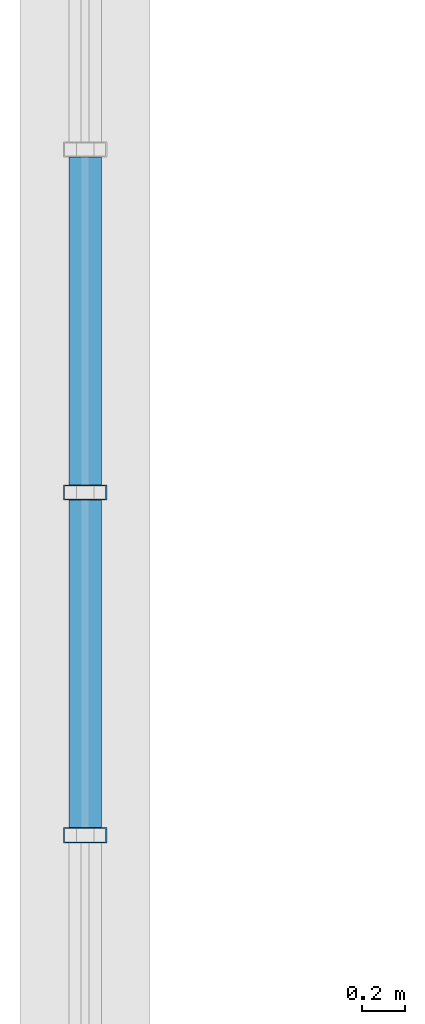
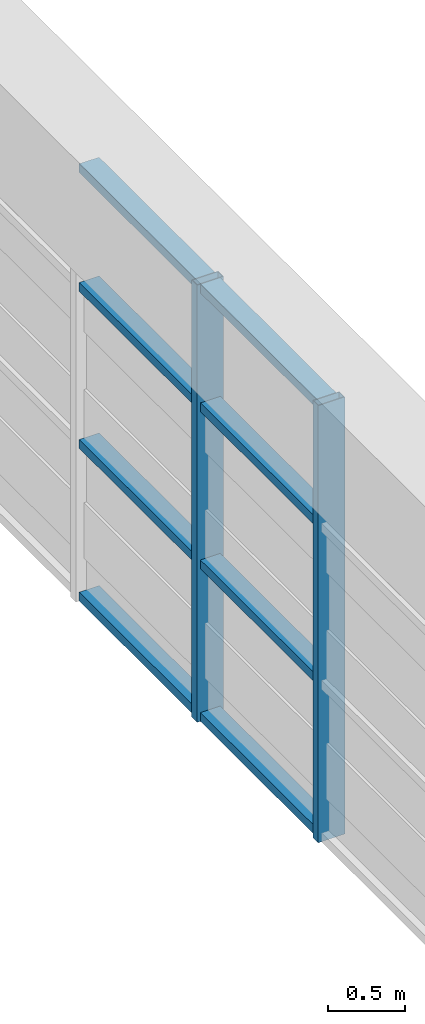
# One storey, part 10 of 27: 10 members, 1 element without a shape of its own.
"""IFC4 building model written with IfcOpenShell, lengths in metres."""

from ifc_helpers import new_model, si_unit, direction, frame, origin, origin_2d, place, context, subcontext, project, spatial, hollow_rectangle, extrude, source, transform, mapped, material, layer, layer_set, material_profile, profile_set, type_object, element, aggregate, save


model = new_model("IFC4")

# Units and contexts
model_context = context("Model", 3, precision=1e-05, world=origin(), true_north=direction((0.0, 1.0)))
body_context = subcontext(model_context, "Body", "Model", "MODEL_VIEW")
ifc_project = project(units=[si_unit("LENGTHUNIT", "METRE"), si_unit("AREAUNIT", "SQUARE_METRE"), si_unit("VOLUMEUNIT", "CUBIC_METRE"), si_unit("PLANEANGLEUNIT", "RADIAN"), si_unit("MASSUNIT", "GRAM", prefix="KILO")], contexts=[model_context])

# Site, building, storey
site_placement = place(None, origin())
site = spatial("IfcSite", under=ifc_project, at=site_placement, CompositionType="ELEMENT")
building_placement = place(site_placement, origin())
building = spatial("IfcBuilding", under=site, at=building_placement, Name="Saelheon Loggia Tower", CompositionType="ELEMENT")
storey_placement = place(building_placement, frame((0.0, 0.0, 263.60009765625)))
storey = spatial("IfcBuildingStorey", under=building, at=storey_placement, Name="CR4", CompositionType="ELEMENT", Elevation=263.60009765625)

# Curtain wall, members
ifc_material_1 = material(Name="Bronze-Anodised Aluminium and Fritted Ceramic Screen", Category="aluminium")
ifc_layer = layer(ifc_material_1, 0.219970703125)
ifc_layer_set = layer_set([ifc_layer], Name="Bronze-Anodised Aluminium and Fritted Ceramic Screen")
curtain_wall_type = type_object("IfcCurtainWallType", Name="CW_CrownScreen", PredefinedType="NOTDEFINED", material=ifc_layer_set)
curtain_wall_placement = place(storey_placement, origin())
curtain_wall = element("IfcCurtainWall", 1, at=curtain_wall_placement, inside=storey, type_object=curtain_wall_type, Name="CR4 Crown Screen Curtain Wall 9-2", PredefinedType="NOTDEFINED")
ifc_material_2 = material(Name="Bronze-Anodised Aluminium 6063-T6", Category="aluminium")
ifc_material_profile_1 = material_profile(ifc_material_2, hollow_rectangle(XDim=0.070068359375, YDim=0.199951171875, WallThickness=0.0048828125, at=origin_2d()), Name="RHS-200x70x5")
ifc_profile_set_1 = profile_set([ifc_material_profile_1], Name="Bronze-Anodised Aluminium 6063-T6")
member_type_1 = type_object("IfcMemberType", Name="CW_CrownScreen_Mullion", PredefinedType="MULLION", material=ifc_profile_set_1)
shared_shape_1 = source(origin(), body_context, "Body", "SweptSolid", [
    extrude(hollow_rectangle(XDim=0.070068359375, YDim=0.199951171875, WallThickness=0.0048828125, at=origin_2d()), origin(), (0.0, 0.0, 1.0), 3.47998046875),
])
member_1_placement = place(storey_placement, frame((23.35009765625, 29.3701171875, 0.0), z_axis=(0.0, 0.0, 1.0), x_axis=(0.0, -1.0, 0.0)))
member_1 = element("IfcMember", 2, at=member_1_placement, type_object=member_type_1, Name="CW6 mullion 5", PredefinedType="MULLION", context=body_context, shape_type="MappedRepresentation", body=[
    mapped(shared_shape_1, transform((0.0, 0.0, 0.0), scale=1.0)),
])
member_2_placement = place(storey_placement, frame((23.35009765625, 27.7900390625, 0.0), z_axis=(0.0, 0.0, 1.0), x_axis=(0.0, -1.0, 0.0)))
member_2 = element("IfcMember", 3, at=member_2_placement, type_object=member_type_1, Name="CW6 mullion 6", PredefinedType="MULLION", context=body_context, shape_type="MappedRepresentation", body=[
    mapped(shared_shape_1, transform((0.0, 0.0, 0.0), scale=1.0)),
])
ifc_material_profile_2 = material_profile(ifc_material_2, hollow_rectangle(XDim=0.070068359375, YDim=0.14990234375, WallThickness=0.0048828125, at=origin_2d()), Name="RHS-150x70x5")
ifc_profile_set_2 = profile_set([ifc_material_profile_2], Name="Bronze-Anodised Aluminium 6063-T6")
member_type_2 = type_object("IfcMemberType", Name="CW_CrownScreen_Transom", PredefinedType="USERDEFINED", material=ifc_profile_set_2)
shared_shape_2 = source(origin(), body_context, "Body", "SweptSolid", [
    extrude(hollow_rectangle(XDim=0.070068359375, YDim=0.14990234375, WallThickness=0.0048828125, at=origin_2d()), origin(), (0.0, 0.0, 1.0), 1.510009765625),
])
member_3_placement = place(storey_placement, frame((23.35009765625, 30.9150390625, 0.034912109375), z_axis=(0.0, -1.0, 0.0), x_axis=(0.0, 0.0, 1.0)))
member_3 = element("IfcMember", 4, at=member_3_placement, type_object=member_type_2, Name="CW6 transom 4.1", ObjectType="TRANSOM", PredefinedType="USERDEFINED", context=body_context, shape_type="MappedRepresentation", body=[
    mapped(shared_shape_2, transform((0.0, 0.0, 0.0), scale=1.0)),
])
member_4_placement = place(storey_placement, frame((23.35009765625, 30.9150390625, 1.25), z_axis=(0.0, -1.0, 0.0), x_axis=(0.0, 0.0, 1.0)))
member_4 = element("IfcMember", 5, at=member_4_placement, type_object=member_type_2, Name="CW6 transom 4.2", ObjectType="TRANSOM", PredefinedType="USERDEFINED", context=body_context, shape_type="MappedRepresentation", body=[
    mapped(shared_shape_2, transform((0.0, 0.0, 0.0), scale=1.0)),
])
member_5_placement = place(storey_placement, frame((23.35009765625, 30.9150390625, 2.5), z_axis=(0.0, -1.0, 0.0), x_axis=(0.0, 0.0, 1.0)))
member_5 = element("IfcMember", 6, at=member_5_placement, type_object=member_type_2, Name="CW6 transom 4.3", ObjectType="TRANSOM", PredefinedType="USERDEFINED", context=body_context, shape_type="MappedRepresentation", body=[
    mapped(shared_shape_2, transform((0.0, 0.0, 0.0), scale=1.0)),
])
member_6_placement = place(storey_placement, frame((23.35009765625, 30.9150390625, 3.44482421875), z_axis=(0.0, -1.0, 0.0), x_axis=(0.0, 0.0, 1.0)))
member_6 = element("IfcMember", 7, at=member_6_placement, type_object=member_type_2, Name="CW6 transom 4.4", ObjectType="TRANSOM", PredefinedType="USERDEFINED", context=body_context, shape_type="MappedRepresentation", body=[
    mapped(shared_shape_2, transform((0.0, 0.0, 0.0), scale=1.0)),
])
member_7_placement = place(storey_placement, frame((23.35009765625, 29.3349609375, 0.034912109375), z_axis=(0.0, -1.0, 0.0), x_axis=(0.0, 0.0, 1.0)))
member_7 = element("IfcMember", 8, at=member_7_placement, type_object=member_type_2, Name="CW6 transom 5.1", ObjectType="TRANSOM", PredefinedType="USERDEFINED", context=body_context, shape_type="MappedRepresentation", body=[
    mapped(shared_shape_2, transform((0.0, 0.0, 0.0), scale=1.0)),
])
member_8_placement = place(storey_placement, frame((23.35009765625, 29.3349609375, 1.25), z_axis=(0.0, -1.0, 0.0), x_axis=(0.0, 0.0, 1.0)))
member_8 = element("IfcMember", 9, at=member_8_placement, type_object=member_type_2, Name="CW6 transom 5.2", ObjectType="TRANSOM", PredefinedType="USERDEFINED", context=body_context, shape_type="MappedRepresentation", body=[
    mapped(shared_shape_2, transform((0.0, 0.0, 0.0), scale=1.0)),
])
member_9_placement = place(storey_placement, frame((23.35009765625, 29.3349609375, 2.5), z_axis=(0.0, -1.0, 0.0), x_axis=(0.0, 0.0, 1.0)))
member_9 = element("IfcMember", 10, at=member_9_placement, type_object=member_type_2, Name="CW6 transom 5.3", ObjectType="TRANSOM", PredefinedType="USERDEFINED", context=body_context, shape_type="MappedRepresentation", body=[
    mapped(shared_shape_2, transform((0.0, 0.0, 0.0), scale=1.0)),
])
member_10_placement = place(storey_placement, frame((23.35009765625, 29.3349609375, 3.44482421875), z_axis=(0.0, -1.0, 0.0), x_axis=(0.0, 0.0, 1.0)))
member_10 = element("IfcMember", 11, at=member_10_placement, type_object=member_type_2, Name="CW6 transom 5.4", ObjectType="TRANSOM", PredefinedType="USERDEFINED", context=body_context, shape_type="MappedRepresentation", body=[
    mapped(shared_shape_2, transform((0.0, 0.0, 0.0), scale=1.0)),
])
aggregate(curtain_wall, [member_1, member_2, member_3, member_4, member_5, member_6, member_7, member_8, member_9, member_10])

save(model, "model.ifc")
